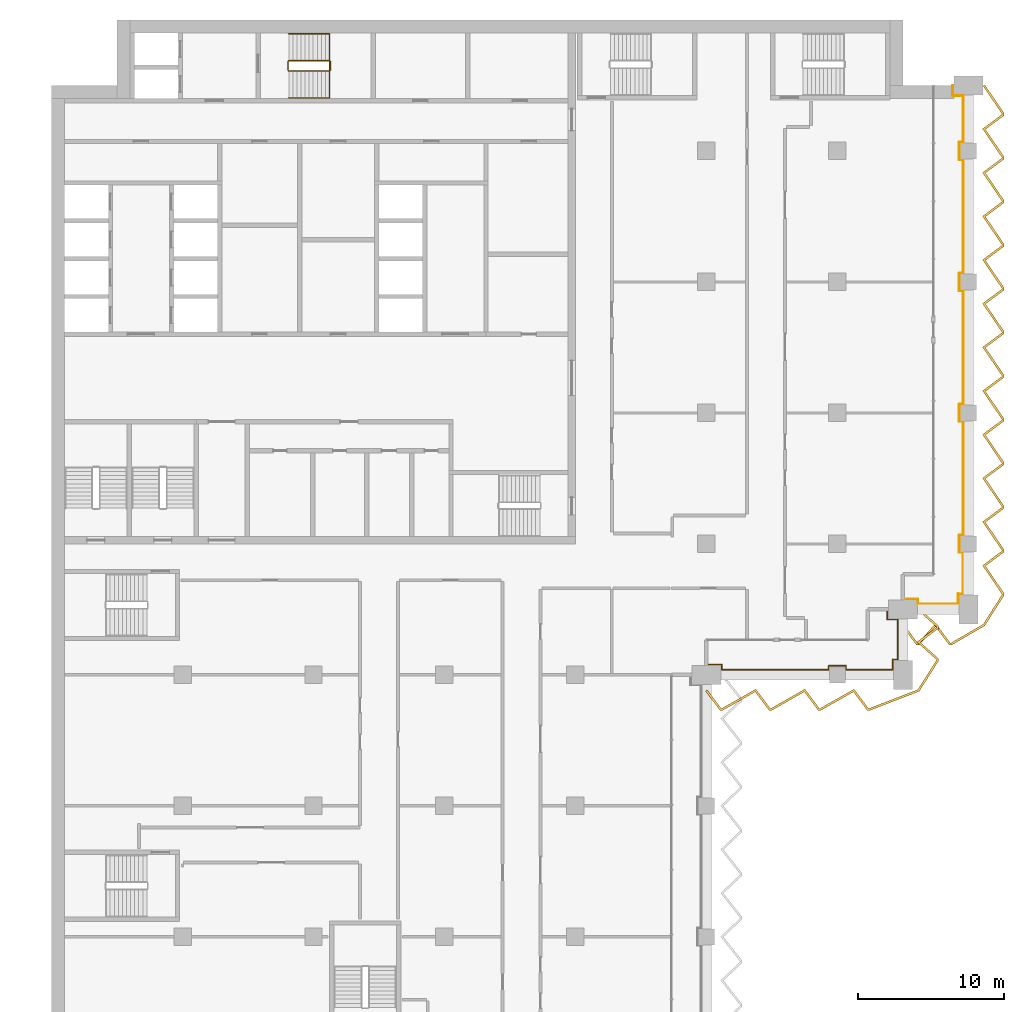
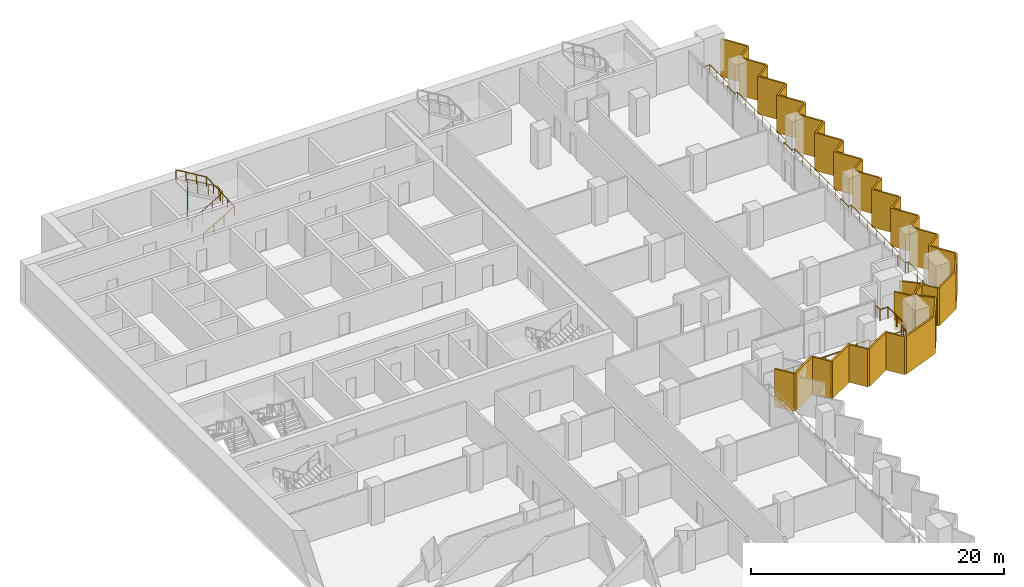
# One storey, part 22 of 23: 4 railings, 2 shading devices.
"""IFC4 building model written with IfcOpenShell, lengths in metres."""

from ifc_helpers import new_model, si_unit, direction, frame, origin, origin_2d, place, context, subcontext, project, spatial, polyline, circle, outline, extrude, material, layer, layer_set, type_object, element, save


model = new_model("IFC4")

# Units and contexts
model_context = context("Model", 3, precision=1e-05, world=origin(), true_north=direction((0.0, 1.0)))
body_context = subcontext(model_context, "Body", "Model", "MODEL_VIEW")
ifc_project = project(units=[si_unit("LENGTHUNIT", "METRE"), si_unit("AREAUNIT", "SQUARE_METRE"), si_unit("VOLUMEUNIT", "CUBIC_METRE"), si_unit("PLANEANGLEUNIT", "RADIAN"), si_unit("MASSUNIT", "GRAM", prefix="KILO")], contexts=[model_context])

# Site, building, storey
site_placement = place(None, origin())
site = spatial("IfcSite", under=ifc_project, at=site_placement, CompositionType="ELEMENT")
building_placement = place(site_placement, origin())
building = spatial("IfcBuilding", under=site, at=building_placement, Name="Hunhe Ridgeline Campus", CompositionType="ELEMENT")
storey_placement = place(building_placement, frame((0.0, 0.0, 167.10009765625)))
storey = spatial("IfcBuildingStorey", under=building, at=storey_placement, Name="L42", CompositionType="ELEMENT", Elevation=167.10009765625)

# Railings
ifc_material_1 = material(Name="Steel Q355", Category="steel")
railing_type_1 = type_object("IfcRailingType", Name="Loggia guard 1100 Steel Q355", PredefinedType="GUARDRAIL", material=ifc_material_1)
railing_1_placement = place(storey_placement, frame((45.0, 54.719970703125, 0.0)))
element("IfcRailing", 1, at=railing_1_placement, inside=storey, type_object=railing_type_1, Name="Loggia guard 2", PredefinedType="GUARDRAIL", context=body_context, shape_type="SweptSolid", body=[
    extrude(circle(Radius=0.02392578125, at=origin_2d()), frame((0.0, 0.0, 1.076171875), z_axis=(1.0, 0.0, 0.0), x_axis=(0.0, 1.0, 0.0)), (0.0, 0.0, 1.0), 1.050048828125),
    extrude(circle(Radius=0.02392578125, at=origin_2d()), frame((1.050048828125, 0.0, 1.076171875), z_axis=(0.0, -1.0, 0.0), x_axis=(1.0, 0.0, 0.0)), (0.0, 0.0, 1.0), 0.369873046875),
    extrude(circle(Radius=0.02392578125, at=origin_2d()), frame((1.050048828125, -0.369873046875, 1.076171875), z_axis=(1.0, 0.0, 0.0), x_axis=(0.0, 1.0, 0.0)), (0.0, 0.0, 1.0), 7.349853515625),
    extrude(circle(Radius=0.02392578125, at=origin_2d()), frame((8.39990234375, -0.369873046875, 1.076171875), z_axis=(0.0, 1.0, 0.0), x_axis=(-1.0, 0.0, 0.0)), (0.0, 0.0, 1.0), 0.27001953125),
    extrude(circle(Radius=0.02392578125, at=origin_2d()), frame((8.39990234375, -0.099853515625, 1.076171875), z_axis=(1.0, 0.0, 0.0), x_axis=(0.0, 1.0, 0.0)), (0.0, 0.0, 1.0), 1.2001953125),
    extrude(circle(Radius=0.02392578125, at=origin_2d()), frame((9.60009765625, -0.099853515625, 1.076171875), z_axis=(0.0, -1.0, 0.0), x_axis=(1.0, 0.0, 0.0)), (0.0, 0.0, 1.0), 0.27001953125),
    extrude(circle(Radius=0.02392578125, at=origin_2d()), frame((9.60009765625, -0.369873046875, 1.076171875), z_axis=(1.0, 0.0, 0.0), x_axis=(0.0, 1.0, 0.0)), (0.0, 0.0, 1.0), 3.199951171875),
    extrude(circle(Radius=0.02392578125, at=origin_2d()), frame((12.800048828125, -0.369873046875, 1.076171875), z_axis=(0.0, 1.0, 0.0), x_axis=(-1.0, 0.0, 0.0)), (0.0, 0.0, 1.0), 0.719970703125),
    extrude(circle(Radius=0.02392578125, at=origin_2d()), frame((12.800048828125, 0.35009765625, 1.076171875), z_axis=(-0.057089444596, -0.998369067688, 0.0), x_axis=(0.998369067688, -0.057089444596, 0.0)), (0.0, 0.0, 1.0), 0.3505859375),
    extrude(circle(Radius=0.02392578125, at=origin_2d()), frame((12.780029296875, 0.0, 1.076171875), z_axis=(0.0, 1.0, 0.0), x_axis=(-1.0, 0.0, 0.0)), (0.0, 0.0, 1.0), 0.330078125),
    extrude(circle(Radius=0.02392578125, at=origin_2d()), frame((12.780029296875, 0.330078125, 1.076171875), z_axis=(1.0, 0.0, 0.0), x_axis=(0.0, 1.0, 0.0)), (0.0, 0.0, 1.0), 0.369873046875),
    extrude(circle(Radius=0.02392578125, at=origin_2d()), frame((13.14990234375, 0.330078125, 1.076171875), z_axis=(0.0, 1.0, 0.0), x_axis=(-1.0, 0.0, 0.0)), (0.0, 0.0, 1.0), 2.75),
    extrude(circle(Radius=0.02392578125, at=origin_2d()), frame((13.14990234375, 3.080078125, 1.076171875), z_axis=(-1.0, 0.0, 0.0), x_axis=(0.0, -1.0, 0.0)), (0.0, 0.0, 1.0), 0.719970703125),
    extrude(circle(Radius=0.02392578125, at=origin_2d()), frame((12.429931640625, 3.080078125, 1.076171875), z_axis=(0.0, 1.0, 0.0), x_axis=(-1.0, 0.0, 0.0)), (0.0, 0.0, 1.0), 0.699951171875),
    extrude(circle(Radius=0.02099609375, at=origin_2d()), origin(), (0.0, 0.0, 1.0), 1.052001953125),
    extrude(circle(Radius=0.02099609375, at=origin_2d()), frame((1.050048828125, 0.0, 0.0)), (0.0, 0.0, 1.0), 1.052001953125),
    extrude(circle(Radius=0.02099609375, at=origin_2d()), frame((1.050048828125, -0.369873046875, 0.0)), (0.0, 0.0, 1.0), 1.052001953125),
    extrude(circle(Radius=0.02099609375, at=origin_2d()), frame((2.52001953125, -0.369873046875, 0.0)), (0.0, 0.0, 1.0), 1.052001953125),
    extrude(circle(Radius=0.02099609375, at=origin_2d()), frame((3.989990234375, -0.369873046875, 0.0)), (0.0, 0.0, 1.0), 1.052001953125),
    extrude(circle(Radius=0.02099609375, at=origin_2d()), frame((5.4599609375, -0.369873046875, 0.0)), (0.0, 0.0, 1.0), 1.052001953125),
    extrude(circle(Radius=0.02099609375, at=origin_2d()), frame((6.929931640625, -0.369873046875, 0.0)), (0.0, 0.0, 1.0), 1.052001953125),
    extrude(circle(Radius=0.02099609375, at=origin_2d()), frame((8.39990234375, -0.369873046875, 0.0)), (0.0, 0.0, 1.0), 1.052001953125),
    extrude(circle(Radius=0.02099609375, at=origin_2d()), frame((8.39990234375, -0.099853515625, 0.0)), (0.0, 0.0, 1.0), 1.052001953125),
    extrude(circle(Radius=0.02099609375, at=origin_2d()), frame((9.60009765625, -0.099853515625, 0.0)), (0.0, 0.0, 1.0), 1.052001953125),
    extrude(circle(Radius=0.02099609375, at=origin_2d()), frame((9.60009765625, -0.369873046875, 0.0)), (0.0, 0.0, 1.0), 1.052001953125),
    extrude(circle(Radius=0.02099609375, at=origin_2d()), frame((10.666748046875, -0.369873046875, 0.0)), (0.0, 0.0, 1.0), 1.052001953125),
    extrude(circle(Radius=0.02099609375, at=origin_2d()), frame((11.7333984375, -0.369873046875, 0.0)), (0.0, 0.0, 1.0), 1.052001953125),
    extrude(circle(Radius=0.02099609375, at=origin_2d()), frame((12.800048828125, -0.369873046875, 0.0)), (0.0, 0.0, 1.0), 1.052001953125),
    extrude(circle(Radius=0.02099609375, at=origin_2d()), frame((12.800048828125, 0.35009765625, 0.0)), (0.0, 0.0, 1.0), 1.052001953125),
    extrude(circle(Radius=0.02099609375, at=origin_2d()), frame((12.780029296875, 0.0, 0.0)), (0.0, 0.0, 1.0), 1.052001953125),
    extrude(circle(Radius=0.02099609375, at=origin_2d()), frame((12.780029296875, 0.330078125, 0.0)), (0.0, 0.0, 1.0), 1.052001953125),
    extrude(circle(Radius=0.02099609375, at=origin_2d()), frame((13.14990234375, 0.330078125, 0.0)), (0.0, 0.0, 1.0), 1.052001953125),
    extrude(circle(Radius=0.02099609375, at=origin_2d()), frame((13.14990234375, 1.705078125, 0.0)), (0.0, 0.0, 1.0), 1.052001953125),
    extrude(circle(Radius=0.02099609375, at=origin_2d()), frame((13.14990234375, 3.080078125, 0.0)), (0.0, 0.0, 1.0), 1.052001953125),
    extrude(circle(Radius=0.02099609375, at=origin_2d()), frame((12.429931640625, 3.080078125, 0.0)), (0.0, 0.0, 1.0), 1.052001953125),
    extrude(circle(Radius=0.02099609375, at=origin_2d()), frame((12.429931640625, 3.780029296875, 0.0)), (0.0, 0.0, 1.0), 1.052001953125),
])
railing_2_placement = place(storey_placement, frame((58.5, 59.219970703125, 0.0)))
element("IfcRailing", 2, at=railing_2_placement, inside=storey, type_object=railing_type_1, Name="Loggia guard 3", PredefinedType="GUARDRAIL", context=body_context, shape_type="SweptSolid", body=[
    extrude(circle(Radius=0.02392578125, at=origin_2d()), frame((0.0, 0.0, 1.076171875), z_axis=(1.0, 0.0, 0.0), x_axis=(0.0, 1.0, 0.0)), (0.0, 0.0, 1.0), 1.050048828125),
    extrude(circle(Radius=0.02392578125, at=origin_2d()), frame((1.050048828125, 0.0, 1.076171875), z_axis=(0.0, -1.0, 0.0), x_axis=(1.0, 0.0, 0.0)), (0.0, 0.0, 1.0), 0.369873046875),
    extrude(circle(Radius=0.02392578125, at=origin_2d()), frame((1.050048828125, -0.369873046875, 1.076171875), z_axis=(1.0, 0.0, 0.0), x_axis=(0.0, 1.0, 0.0)), (0.0, 0.0, 1.0), 2.75),
    extrude(circle(Radius=0.02392578125, at=origin_2d()), frame((3.800048828125, -0.369873046875, 1.076171875), z_axis=(0.0, 1.0, 0.0), x_axis=(-1.0, 0.0, 0.0)), (0.0, 0.0, 1.0), 0.719970703125),
    extrude(circle(Radius=0.02392578125, at=origin_2d()), frame((3.800048828125, 0.35009765625, 1.076171875), z_axis=(-0.057089444596, -0.998369067688, 0.0), x_axis=(0.998369067688, -0.057089444596, 0.0)), (0.0, 0.0, 1.0), 0.3505859375),
    extrude(circle(Radius=0.02392578125, at=origin_2d()), frame((3.780029296875, 0.0, 1.076171875), z_axis=(0.0, 1.0, 0.0), x_axis=(-1.0, 0.0, 0.0)), (0.0, 0.0, 1.0), 0.330078125),
    extrude(circle(Radius=0.02392578125, at=origin_2d()), frame((3.780029296875, 0.330078125, 1.076171875), z_axis=(1.0, 0.0, 0.0), x_axis=(0.0, 1.0, 0.0)), (0.0, 0.0, 1.0), 0.369873046875),
    extrude(circle(Radius=0.02392578125, at=origin_2d()), frame((4.14990234375, 0.330078125, 1.076171875), z_axis=(0.0, 1.0, 0.0), x_axis=(-1.0, 0.0, 0.0)), (0.0, 0.0, 1.0), 2.849853515625),
    extrude(circle(Radius=0.02392578125, at=origin_2d()), frame((4.14990234375, 3.179931640625, 1.076171875), z_axis=(-1.0, 0.0, 0.0), x_axis=(0.0, -1.0, 0.0)), (0.0, 0.0, 1.0), 0.27001953125),
    extrude(circle(Radius=0.02392578125, at=origin_2d()), frame((3.8798828125, 3.179931640625, 1.076171875), z_axis=(0.0, 1.0, 0.0), x_axis=(-1.0, 0.0, 0.0)), (0.0, 0.0, 1.0), 1.2001953125),
    extrude(circle(Radius=0.02392578125, at=origin_2d()), frame((3.8798828125, 4.380126953125, 1.076171875), z_axis=(1.0, 0.0, 0.0), x_axis=(0.0, 1.0, 0.0)), (0.0, 0.0, 1.0), 0.27001953125),
    extrude(circle(Radius=0.02392578125, at=origin_2d()), frame((4.14990234375, 4.380126953125, 1.076171875), z_axis=(0.0, 1.0, 0.0), x_axis=(-1.0, 0.0, 0.0)), (0.0, 0.0, 1.0), 7.7998046875),
    extrude(circle(Radius=0.02392578125, at=origin_2d()), frame((4.14990234375, 12.179931640625, 1.076171875), z_axis=(-1.0, 0.0, 0.0), x_axis=(0.0, -1.0, 0.0)), (0.0, 0.0, 1.0), 0.27001953125),
    extrude(circle(Radius=0.02392578125, at=origin_2d()), frame((3.8798828125, 12.179931640625, 1.076171875), z_axis=(0.0, 1.0, 0.0), x_axis=(-1.0, 0.0, 0.0)), (0.0, 0.0, 1.0), 1.2001953125),
    extrude(circle(Radius=0.02392578125, at=origin_2d()), frame((3.8798828125, 13.380126953125, 1.076171875), z_axis=(1.0, 0.0, 0.0), x_axis=(0.0, 1.0, 0.0)), (0.0, 0.0, 1.0), 0.27001953125),
    extrude(circle(Radius=0.02392578125, at=origin_2d()), frame((4.14990234375, 13.380126953125, 1.076171875), z_axis=(0.0, 1.0, 0.0), x_axis=(-1.0, 0.0, 0.0)), (0.0, 0.0, 1.0), 7.7998046875),
    extrude(circle(Radius=0.02392578125, at=origin_2d()), frame((4.14990234375, 21.179931640625, 1.076171875), z_axis=(-1.0, 0.0, 0.0), x_axis=(0.0, -1.0, 0.0)), (0.0, 0.0, 1.0), 0.27001953125),
    extrude(circle(Radius=0.02392578125, at=origin_2d()), frame((3.8798828125, 21.179931640625, 1.076171875), z_axis=(0.0, 1.0, 0.0), x_axis=(-1.0, 0.0, 0.0)), (0.0, 0.0, 1.0), 1.2001953125),
    extrude(circle(Radius=0.02392578125, at=origin_2d()), frame((3.8798828125, 22.380126953125, 1.076171875), z_axis=(1.0, 0.0, 0.0), x_axis=(0.0, 1.0, 0.0)), (0.0, 0.0, 1.0), 0.27001953125),
    extrude(circle(Radius=0.02392578125, at=origin_2d()), frame((4.14990234375, 22.380126953125, 1.076171875), z_axis=(0.0, 1.0, 0.0), x_axis=(-1.0, 0.0, 0.0)), (0.0, 0.0, 1.0), 7.7998046875),
    extrude(circle(Radius=0.02392578125, at=origin_2d()), frame((4.14990234375, 30.179931640625, 1.076171875), z_axis=(-1.0, 0.0, 0.0), x_axis=(0.0, -1.0, 0.0)), (0.0, 0.0, 1.0), 0.27001953125),
    extrude(circle(Radius=0.02392578125, at=origin_2d()), frame((3.8798828125, 30.179931640625, 1.076171875), z_axis=(0.0, 1.0, 0.0), x_axis=(-1.0, 0.0, 0.0)), (0.0, 0.0, 1.0), 1.2001953125),
    extrude(circle(Radius=0.02392578125, at=origin_2d()), frame((3.8798828125, 31.380126953125, 1.076171875), z_axis=(1.0, 0.0, 0.0), x_axis=(0.0, 1.0, 0.0)), (0.0, 0.0, 1.0), 0.27001953125),
    extrude(circle(Radius=0.02392578125, at=origin_2d()), frame((4.14990234375, 31.380126953125, 1.076171875), z_axis=(0.0, 1.0, 0.0), x_axis=(-1.0, 0.0, 0.0)), (0.0, 0.0, 1.0), 3.199951171875),
    extrude(circle(Radius=0.02392578125, at=origin_2d()), frame((4.14990234375, 34.580078125, 1.076171875), z_axis=(-1.0, 0.0, 0.0), x_axis=(0.0, -1.0, 0.0)), (0.0, 0.0, 1.0), 0.719970703125),
    extrude(circle(Radius=0.02392578125, at=origin_2d()), frame((3.429931640625, 34.580078125, 1.076171875), z_axis=(0.0, 1.0, 0.0), x_axis=(-1.0, 0.0, 0.0)), (0.0, 0.0, 1.0), 0.699951171875),
    extrude(circle(Radius=0.02099609375, at=origin_2d()), origin(), (0.0, 0.0, 1.0), 1.052001953125),
    extrude(circle(Radius=0.02099609375, at=origin_2d()), frame((1.050048828125, 0.0, 0.0)), (0.0, 0.0, 1.0), 1.052001953125),
    extrude(circle(Radius=0.02099609375, at=origin_2d()), frame((1.050048828125, -0.369873046875, 0.0)), (0.0, 0.0, 1.0), 1.052001953125),
    extrude(circle(Radius=0.02099609375, at=origin_2d()), frame((2.425048828125, -0.369873046875, 0.0)), (0.0, 0.0, 1.0), 1.052001953125),
    extrude(circle(Radius=0.02099609375, at=origin_2d()), frame((3.800048828125, -0.369873046875, 0.0)), (0.0, 0.0, 1.0), 1.052001953125),
    extrude(circle(Radius=0.02099609375, at=origin_2d()), frame((3.800048828125, 0.35009765625, 0.0)), (0.0, 0.0, 1.0), 1.052001953125),
    extrude(circle(Radius=0.02099609375, at=origin_2d()), frame((3.780029296875, 0.0, 0.0)), (0.0, 0.0, 1.0), 1.052001953125),
    extrude(circle(Radius=0.02099609375, at=origin_2d()), frame((3.780029296875, 0.330078125, 0.0)), (0.0, 0.0, 1.0), 1.052001953125),
    extrude(circle(Radius=0.02099609375, at=origin_2d()), frame((4.14990234375, 0.330078125, 0.0)), (0.0, 0.0, 1.0), 1.052001953125),
    extrude(circle(Radius=0.02099609375, at=origin_2d()), frame((4.14990234375, 1.7548828125, 0.0)), (0.0, 0.0, 1.0), 1.052001953125),
    extrude(circle(Radius=0.02099609375, at=origin_2d()), frame((4.14990234375, 3.179931640625, 0.0)), (0.0, 0.0, 1.0), 1.052001953125),
    extrude(circle(Radius=0.02099609375, at=origin_2d()), frame((3.8798828125, 3.179931640625, 0.0)), (0.0, 0.0, 1.0), 1.052001953125),
    extrude(circle(Radius=0.02099609375, at=origin_2d()), frame((3.8798828125, 4.380126953125, 0.0)), (0.0, 0.0, 1.0), 1.052001953125),
    extrude(circle(Radius=0.02099609375, at=origin_2d()), frame((4.14990234375, 4.380126953125, 0.0)), (0.0, 0.0, 1.0), 1.052001953125),
    extrude(circle(Radius=0.02099609375, at=origin_2d()), frame((4.14990234375, 5.68017578125, 0.0)), (0.0, 0.0, 1.0), 1.052001953125),
    extrude(circle(Radius=0.02099609375, at=origin_2d()), frame((4.14990234375, 6.97998046875, 0.0)), (0.0, 0.0, 1.0), 1.052001953125),
    extrude(circle(Radius=0.02099609375, at=origin_2d()), frame((4.14990234375, 8.280029296875, 0.0)), (0.0, 0.0, 1.0), 1.052001953125),
    extrude(circle(Radius=0.02099609375, at=origin_2d()), frame((4.14990234375, 9.580078125, 0.0)), (0.0, 0.0, 1.0), 1.052001953125),
    extrude(circle(Radius=0.02099609375, at=origin_2d()), frame((4.14990234375, 10.8798828125, 0.0)), (0.0, 0.0, 1.0), 1.052001953125),
    extrude(circle(Radius=0.02099609375, at=origin_2d()), frame((4.14990234375, 12.179931640625, 0.0)), (0.0, 0.0, 1.0), 1.052001953125),
    extrude(circle(Radius=0.02099609375, at=origin_2d()), frame((3.8798828125, 12.179931640625, 0.0)), (0.0, 0.0, 1.0), 1.052001953125),
    extrude(circle(Radius=0.02099609375, at=origin_2d()), frame((3.8798828125, 13.380126953125, 0.0)), (0.0, 0.0, 1.0), 1.052001953125),
    extrude(circle(Radius=0.02099609375, at=origin_2d()), frame((4.14990234375, 13.380126953125, 0.0)), (0.0, 0.0, 1.0), 1.052001953125),
    extrude(circle(Radius=0.02099609375, at=origin_2d()), frame((4.14990234375, 14.68017578125, 0.0)), (0.0, 0.0, 1.0), 1.052001953125),
    extrude(circle(Radius=0.02099609375, at=origin_2d()), frame((4.14990234375, 15.97998046875, 0.0)), (0.0, 0.0, 1.0), 1.052001953125),
    extrude(circle(Radius=0.02099609375, at=origin_2d()), frame((4.14990234375, 17.280029296875, 0.0)), (0.0, 0.0, 1.0), 1.052001953125),
    extrude(circle(Radius=0.02099609375, at=origin_2d()), frame((4.14990234375, 18.580078125, 0.0)), (0.0, 0.0, 1.0), 1.052001953125),
    extrude(circle(Radius=0.02099609375, at=origin_2d()), frame((4.14990234375, 19.8798828125, 0.0)), (0.0, 0.0, 1.0), 1.052001953125),
    extrude(circle(Radius=0.02099609375, at=origin_2d()), frame((4.14990234375, 21.179931640625, 0.0)), (0.0, 0.0, 1.0), 1.052001953125),
    extrude(circle(Radius=0.02099609375, at=origin_2d()), frame((3.8798828125, 21.179931640625, 0.0)), (0.0, 0.0, 1.0), 1.052001953125),
    extrude(circle(Radius=0.02099609375, at=origin_2d()), frame((3.8798828125, 22.380126953125, 0.0)), (0.0, 0.0, 1.0), 1.052001953125),
    extrude(circle(Radius=0.02099609375, at=origin_2d()), frame((4.14990234375, 22.380126953125, 0.0)), (0.0, 0.0, 1.0), 1.052001953125),
    extrude(circle(Radius=0.02099609375, at=origin_2d()), frame((4.14990234375, 23.68017578125, 0.0)), (0.0, 0.0, 1.0), 1.052001953125),
    extrude(circle(Radius=0.02099609375, at=origin_2d()), frame((4.14990234375, 24.97998046875, 0.0)), (0.0, 0.0, 1.0), 1.052001953125),
    extrude(circle(Radius=0.02099609375, at=origin_2d()), frame((4.14990234375, 26.280029296875, 0.0)), (0.0, 0.0, 1.0), 1.052001953125),
    extrude(circle(Radius=0.02099609375, at=origin_2d()), frame((4.14990234375, 27.580078125, 0.0)), (0.0, 0.0, 1.0), 1.052001953125),
    extrude(circle(Radius=0.02099609375, at=origin_2d()), frame((4.14990234375, 28.8798828125, 0.0)), (0.0, 0.0, 1.0), 1.052001953125),
    extrude(circle(Radius=0.02099609375, at=origin_2d()), frame((4.14990234375, 30.179931640625, 0.0)), (0.0, 0.0, 1.0), 1.052001953125),
    extrude(circle(Radius=0.02099609375, at=origin_2d()), frame((3.8798828125, 30.179931640625, 0.0)), (0.0, 0.0, 1.0), 1.052001953125),
    extrude(circle(Radius=0.02099609375, at=origin_2d()), frame((3.8798828125, 31.380126953125, 0.0)), (0.0, 0.0, 1.0), 1.052001953125),
    extrude(circle(Radius=0.02099609375, at=origin_2d()), frame((4.14990234375, 31.380126953125, 0.0)), (0.0, 0.0, 1.0), 1.052001953125),
    extrude(circle(Radius=0.02099609375, at=origin_2d()), frame((4.14990234375, 32.44677734375, 0.0)), (0.0, 0.0, 1.0), 1.052001953125),
    extrude(circle(Radius=0.02099609375, at=origin_2d()), frame((4.14990234375, 33.513427734375, 0.0)), (0.0, 0.0, 1.0), 1.052001953125),
    extrude(circle(Radius=0.02099609375, at=origin_2d()), frame((4.14990234375, 34.580078125, 0.0)), (0.0, 0.0, 1.0), 1.052001953125),
    extrude(circle(Radius=0.02099609375, at=origin_2d()), frame((3.429931640625, 34.580078125, 0.0)), (0.0, 0.0, 1.0), 1.052001953125),
    extrude(circle(Radius=0.02099609375, at=origin_2d()), frame((3.429931640625, 35.280029296875, 0.0)), (0.0, 0.0, 1.0), 1.052001953125),
])

# Shading devices
ifc_material_2 = material(Name="Concrete C50", Category="concrete")
ifc_layer = layer(ifc_material_2, 0.14990234375)
ifc_layer_set = layer_set([ifc_layer], Name="Sawtooth concrete fin 150 Concrete C50")
shading_device_type = type_object("IfcShadingDeviceType", Name="Sawtooth concrete fin 150 Concrete C50", PredefinedType="USERDEFINED", material=ifc_layer_set)
shading_device_1_placement = place(storey_placement, frame((0.0, 0.0, -0.9501953125)))
element("IfcShadingDevice", 3, at=shading_device_1_placement, inside=storey, type_object=shading_device_type, Name="Concrete fin screen 2", ObjectType="FIN", PredefinedType="USERDEFINED", context=body_context, shape_type="SweptSolid", body=[
    extrude(outline(polyline([(45.06005859375, 52.9697265625), (44.93994140625, 52.880126953125), (45.930419921875, 51.550048828125), (46.10791015625, 51.550048828125), (48.3544921875, 52.8271484375), (49.305419921875, 51.550048828125), (49.48291015625, 51.550048828125), (51.7294921875, 52.8271484375), (52.680419921875, 51.550048828125), (52.85791015625, 51.550048828125), (55.1044921875, 52.8271484375), (56.055419921875, 51.550048828125), (56.22705078125, 51.550048828125), (59.625, 52.864013671875), (60.949951171875, 54.9462890625), (60.949951171875, 55.12158203125), (59.693359375, 56.24462890625), (60.949951171875, 57.180419921875), (60.949951171875, 57.37158203125), (59.625, 58.555908203125), (59.52490234375, 58.444091796875), (60.800048828125, 57.304443359375), (60.800048828125, 57.255859375), (59.45654296875, 56.25537109375), (60.800048828125, 55.054443359375), (60.800048828125, 54.989990234375), (59.52490234375, 52.986083984375), (56.19921875, 51.699951171875), (56.130859375, 51.699951171875), (55.1455078125, 53.02294921875), (52.818359375, 51.699951171875), (52.755859375, 51.699951171875), (51.7705078125, 53.02294921875), (49.443359375, 51.699951171875), (49.380859375, 51.699951171875), (48.3955078125, 53.02294921875), (46.068359375, 51.699951171875), (46.005859375, 51.699951171875), (45.06005859375, 52.9697265625)])), origin(), (0.0, 0.0, 1.0), 3.650146484375),
])
shading_device_2_placement = place(storey_placement, frame((0.0, 0.0, -0.9501953125)))
element("IfcShadingDevice", 4, at=shading_device_2_placement, inside=storey, type_object=shading_device_type, Name="Concrete fin screen 3", ObjectType="FIN", PredefinedType="USERDEFINED", context=body_context, shape_type="SweptSolid", body=[
    extrude(outline(polyline([(58.56005859375, 57.4697265625), (58.43994140625, 57.380126953125), (59.430419921875, 56.050048828125), (59.62158203125, 56.050048828125), (60.74462890625, 57.306640625), (61.680419921875, 56.050048828125), (61.8583984375, 56.050048828125), (64.12841796875, 57.369384765625), (65.449951171875, 59.4462890625), (65.449951171875, 59.611083984375), (64.177490234375, 61.482666015625), (65.449951171875, 62.430419921875), (65.449951171875, 62.611083984375), (64.177490234375, 64.482666015625), (65.449951171875, 65.430419921875), (65.449951171875, 65.611083984375), (64.177490234375, 67.482666015625), (65.449951171875, 68.430419921875), (65.449951171875, 68.611083984375), (64.177490234375, 70.482666015625), (65.449951171875, 71.430419921875), (65.449951171875, 71.611083984375), (64.177490234375, 73.482666015625), (65.449951171875, 74.430419921875), (65.449951171875, 74.611083984375), (64.177490234375, 76.482666015625), (65.449951171875, 77.430419921875), (65.449951171875, 77.611083984375), (64.177490234375, 79.482666015625), (65.449951171875, 80.430419921875), (65.449951171875, 80.611083984375), (64.177490234375, 82.482666015625), (65.449951171875, 83.430419921875), (65.449951171875, 83.611083984375), (64.177490234375, 85.482666015625), (65.449951171875, 86.430419921875), (65.449951171875, 86.611083984375), (64.177490234375, 88.482666015625), (65.449951171875, 89.430419921875), (65.449951171875, 89.611083984375), (64.177490234375, 91.482666015625), (65.449951171875, 92.430419921875), (65.449951171875, 92.611083984375), (64.136962890625, 94.542236328125), (64.012939453125, 94.457763671875), (65.300048828125, 92.56494140625), (65.300048828125, 92.505859375), (63.97265625, 91.517333984375), (65.300048828125, 89.56494140625), (65.300048828125, 89.505859375), (63.97265625, 88.517333984375), (65.300048828125, 86.56494140625), (65.300048828125, 86.505859375), (63.97265625, 85.517333984375), (65.300048828125, 83.56494140625), (65.300048828125, 83.505859375), (63.97265625, 82.517333984375), (65.300048828125, 80.56494140625), (65.300048828125, 80.505859375), (63.97265625, 79.517333984375), (65.300048828125, 77.56494140625), (65.300048828125, 77.505859375), (63.97265625, 76.517333984375), (65.300048828125, 74.56494140625), (65.300048828125, 74.505859375), (63.97265625, 73.517333984375), (65.300048828125, 71.56494140625), (65.300048828125, 71.505859375), (63.97265625, 70.517333984375), (65.300048828125, 68.56494140625), (65.300048828125, 68.505859375), (63.97265625, 67.517333984375), (65.300048828125, 65.56494140625), (65.300048828125, 65.505859375), (63.97265625, 64.517333984375), (65.300048828125, 62.56494140625), (65.300048828125, 62.505859375), (63.97265625, 61.517333984375), (65.300048828125, 59.56494140625), (65.300048828125, 59.489990234375), (64.021484375, 57.480712890625), (61.81787109375, 56.199951171875), (61.755859375, 56.199951171875), (60.75537109375, 57.54345703125), (59.554443359375, 56.199951171875), (59.505859375, 56.199951171875), (58.56005859375, 57.4697265625)])), origin(), (0.0, 0.0, 1.0), 3.650146484375),
])

# Railings
ifc_material_3 = material(Name="Stainless steel balustrade", Category="steel")
railing_type_2 = type_object("IfcRailingType", Name="Stair guard 1100 stainless", PredefinedType="GUARDRAIL", material=ifc_material_3)
railing_3_placement = place(storey_placement, frame((16.300048828125, 95.5, 0.16796875)))
element("IfcRailing", 5, at=railing_3_placement, inside=storey, type_object=railing_type_2, Name="L42 stair S1 guard", PredefinedType="GUARDRAIL", context=body_context, shape_type="SweptSolid", body=[
    extrude(circle(Radius=0.02392578125, at=origin_2d()), frame((0.0, 0.0, 1.076171875), z_axis=(0.857242210791, 0.0, 0.514913383045), x_axis=(0.0, 1.0, 0.0)), (0.0, 0.0, 1.0), 3.266357421875),
    extrude(circle(Radius=0.02392578125, at=origin_2d()), frame((2.800048828125, 0.0, 2.7578125), z_axis=(0.705375805398, 0.708833529934, 0.0), x_axis=(-0.708833529934, 0.705375805398, 0.0)), (0.0, 0.0, 1.0), 0.070556640625),
    extrude(circle(Radius=0.02392578125, at=origin_2d()), frame((2.849853515625, 0.050048828125, 2.7578125), z_axis=(0.0, 1.0, 0.0), x_axis=(-1.0, 0.0, 0.0)), (0.0, 0.0, 1.0), 0.599853515625),
    extrude(circle(Radius=0.02392578125, at=origin_2d()), frame((2.849853515625, 0.64990234375, 2.7578125), z_axis=(-0.273006030465, 0.27434429532, 0.922064485248), x_axis=(-0.708833529934, -0.705375805398, 0.0)), (0.0, 0.0, 1.0), 0.182373046875),
    extrude(circle(Radius=0.02392578125, at=origin_2d()), frame((2.800048828125, 0.699951171875, 2.92626953125), z_axis=(-0.857242210791, 0.0, 0.514913383045), x_axis=(0.0, -1.0, 0.0)), (0.0, 0.0, 1.0), 3.266357421875),
    extrude(circle(Radius=0.02392578125, at=origin_2d()), frame((0.0, 0.699951171875, 4.60791015625), z_axis=(-0.013524414389, -0.013524414389, -0.999817073484), x_axis=(0.707106781187, -0.707106781187, 0.0)), (0.0, 0.0, 1.0), 3.70068359375),
    extrude(circle(Radius=0.02392578125, at=origin_2d()), frame((-0.050048828125, 0.64990234375, 0.908203125), z_axis=(0.0, -1.0, 0.0), x_axis=(1.0, 0.0, 0.0)), (0.0, 0.0, 1.0), 0.599853515625),
    extrude(circle(Radius=0.02099609375, at=origin_2d()), origin(), (0.0, 0.0, 1.0), 1.052001953125),
    extrude(circle(Radius=0.02099609375, at=origin_2d()), frame((0.933349609375, 0.0, 0.560546875)), (0.0, 0.0, 1.0), 1.052001953125),
    extrude(circle(Radius=0.02099609375, at=origin_2d()), frame((1.86669921875, 0.0, 1.121337890625)), (0.0, 0.0, 1.0), 1.052001953125),
    extrude(circle(Radius=0.02099609375, at=origin_2d()), frame((2.800048828125, 0.0, 1.681884765625)), (0.0, 0.0, 1.0), 1.052001953125),
    extrude(circle(Radius=0.02099609375, at=origin_2d()), frame((2.849853515625, 0.050048828125, 1.681884765625)), (0.0, 0.0, 1.0), 1.052001953125),
    extrude(circle(Radius=0.02099609375, at=origin_2d()), frame((2.849853515625, 0.64990234375, 1.681884765625)), (0.0, 0.0, 1.0), 1.052001953125),
    extrude(circle(Radius=0.02099609375, at=origin_2d()), frame((2.800048828125, 0.699951171875, 1.85009765625)), (0.0, 0.0, 1.0), 1.052001953125),
    extrude(circle(Radius=0.02099609375, at=origin_2d()), frame((1.86669921875, 0.699951171875, 2.41064453125)), (0.0, 0.0, 1.0), 1.052001953125),
    extrude(circle(Radius=0.02099609375, at=origin_2d()), frame((0.933349609375, 0.699951171875, 2.971435546875)), (0.0, 0.0, 1.0), 1.052001953125),
    extrude(circle(Radius=0.02099609375, at=origin_2d()), frame((0.0, 0.699951171875, 3.531982421875)), (0.0, 0.0, 1.0), 1.052001953125),
    extrude(circle(Radius=0.02099609375, at=origin_2d()), frame((-0.012451171875, 0.6875, 2.60693359375)), (0.0, 0.0, 1.0), 1.052001953125),
    extrude(circle(Radius=0.02099609375, at=origin_2d()), frame((-0.02490234375, 0.6748046875, 1.68212890625)), (0.0, 0.0, 1.0), 1.052001953125),
    extrude(circle(Radius=0.02099609375, at=origin_2d()), frame((-0.03759765625, 0.662353515625, 0.757080078125)), (0.0, 0.0, 1.0), 1.052001953125),
    extrude(circle(Radius=0.02099609375, at=origin_2d()), frame((-0.050048828125, 0.64990234375, -0.16796875)), (0.0, 0.0, 1.0), 1.052001953125),
    extrude(circle(Radius=0.02099609375, at=origin_2d()), frame((-0.050048828125, 0.050048828125, -0.16796875)), (0.0, 0.0, 1.0), 1.052001953125),
])
ifc_material_4 = material(Name="Stainless steel handrail", Category="steel")
railing_type_3 = type_object("IfcRailingType", Name="Stair handrail 900 stainless", PredefinedType="HANDRAIL", material=ifc_material_4)
railing_4_placement = place(storey_placement, frame((16.300048828125, 93.64990234375, 0.16796875)))
element("IfcRailing", 6, at=railing_4_placement, inside=storey, type_object=railing_type_3, Name="L42 stair S1 handrail", PredefinedType="HANDRAIL", context=body_context, shape_type="SweptSolid", body=[
    extrude(circle(Radius=0.02392578125, at=origin_2d()), frame((0.0, 0.0, 0.8759765625), z_axis=(0.857242210791, 0.0, 0.514913383045), x_axis=(0.0, 1.0, 0.0)), (0.0, 0.0, 1.0), 3.266357421875),
    extrude(circle(Radius=0.02392578125, at=origin_2d()), frame((2.800048828125, 0.0, 2.5576171875), z_axis=(0.0, 0.999270074432, 0.038201025428), x_axis=(-1.0, 0.0, 0.0)), (0.0, 0.0, 1.0), 4.4033203125),
    extrude(circle(Radius=0.02392578125, at=origin_2d()), frame((2.800048828125, 4.400146484375, 2.72607421875), z_axis=(-0.857242210791, 0.0, 0.514913383045), x_axis=(0.0, -1.0, 0.0)), (0.0, 0.0, 1.0), 3.266357421875),
    extrude(circle(Radius=0.02099609375, at=origin_2d()), origin(), (0.0, 0.0, 1.0), 0.851806640625),
    extrude(circle(Radius=0.02099609375, at=origin_2d()), frame((0.933349609375, 0.0, 0.560546875)), (0.0, 0.0, 1.0), 0.851806640625),
    extrude(circle(Radius=0.02099609375, at=origin_2d()), frame((1.86669921875, 0.0, 1.121337890625)), (0.0, 0.0, 1.0), 0.851806640625),
    extrude(circle(Radius=0.02099609375, at=origin_2d()), frame((2.800048828125, 0.0, 1.681884765625)), (0.0, 0.0, 1.0), 0.851806640625),
    extrude(circle(Radius=0.02099609375, at=origin_2d()), frame((2.800048828125, 1.10009765625, 1.723876953125)), (0.0, 0.0, 1.0), 0.851806640625),
    extrude(circle(Radius=0.02099609375, at=origin_2d()), frame((2.800048828125, 2.2001953125, 1.76611328125)), (0.0, 0.0, 1.0), 0.851806640625),
    extrude(circle(Radius=0.02099609375, at=origin_2d()), frame((2.800048828125, 3.300048828125, 1.80810546875)), (0.0, 0.0, 1.0), 0.851806640625),
    extrude(circle(Radius=0.02099609375, at=origin_2d()), frame((2.800048828125, 4.400146484375, 1.85009765625)), (0.0, 0.0, 1.0), 0.851806640625),
    extrude(circle(Radius=0.02099609375, at=origin_2d()), frame((1.86669921875, 4.400146484375, 2.41064453125)), (0.0, 0.0, 1.0), 0.851806640625),
    extrude(circle(Radius=0.02099609375, at=origin_2d()), frame((0.933349609375, 4.400146484375, 2.971435546875)), (0.0, 0.0, 1.0), 0.851806640625),
    extrude(circle(Radius=0.02099609375, at=origin_2d()), frame((0.0, 4.400146484375, 3.531982421875)), (0.0, 0.0, 1.0), 0.851806640625),
])

save(model, "model.ifc")
